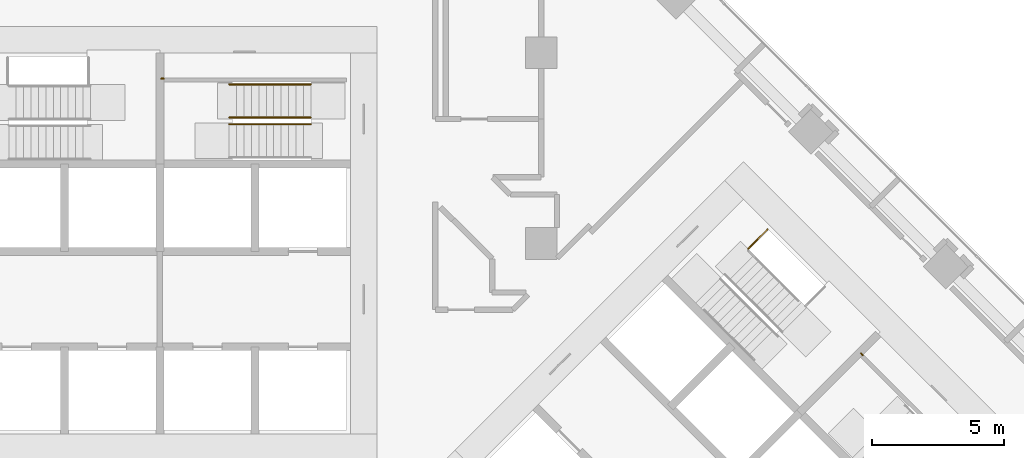
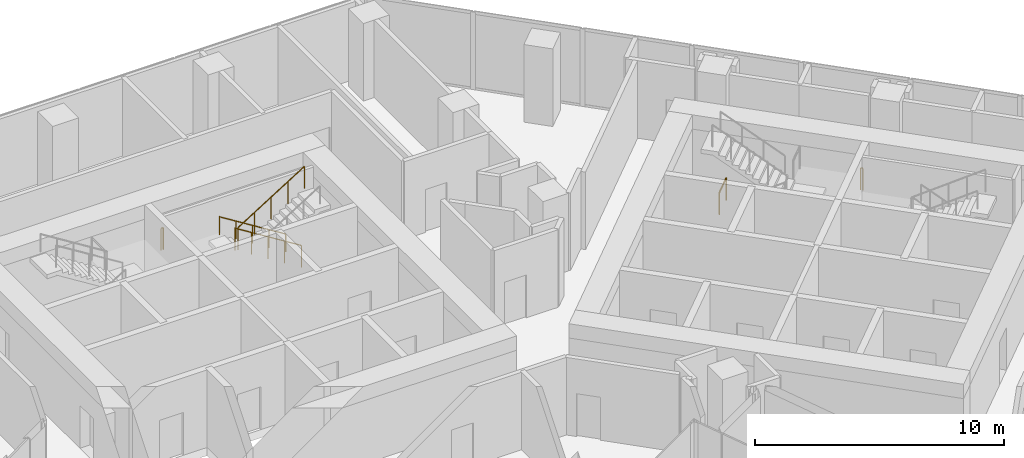
# One storey, part 27 of 27: 6 railings.
"""IFC4 building model written with IfcOpenShell, lengths in metres."""

from ifc_helpers import new_model, si_unit, direction, frame, origin, origin_2d, place, context, subcontext, project, spatial, circle, extrude, material, type_object, element, save


model = new_model("IFC4")

# Units and contexts
model_context = context("Model", 3, precision=1e-05, world=origin(), true_north=direction((0.0, 1.0)))
body_context = subcontext(model_context, "Body", "Model", "MODEL_VIEW")
ifc_project = project(units=[si_unit("LENGTHUNIT", "METRE"), si_unit("AREAUNIT", "SQUARE_METRE"), si_unit("VOLUMEUNIT", "CUBIC_METRE"), si_unit("PLANEANGLEUNIT", "RADIAN"), si_unit("MASSUNIT", "GRAM", prefix="KILO")], contexts=[model_context])

# Site, building, storey
site_placement = place(None, origin())
site = spatial("IfcSite", under=ifc_project, at=site_placement, CompositionType="ELEMENT")
building_placement = place(site_placement, origin())
building = spatial("IfcBuilding", under=site, at=building_placement, Name="Windrow Commons", CompositionType="ELEMENT")
storey_placement = place(building_placement, frame((0.0, 0.0, 6.0)))
storey = spatial("IfcBuildingStorey", under=building, at=storey_placement, Name="L01", CompositionType="ELEMENT", Elevation=6.0)

# Railings
ifc_material_1 = material(Name="Steel S355", Category="steel")
railing_type_1 = type_object("IfcRailingType", Name="Core stair guard 1100", PredefinedType="GUARDRAIL", material=ifc_material_1)
railing_1_placement = place(storey_placement, frame((70.5, 62.355, 0.175)))
element("IfcRailing", 1, at=railing_1_placement, inside=storey, type_object=railing_type_1, Name="L01 ST-A2 stair guard 1", PredefinedType="GUARDRAIL", context=body_context, shape_type="SweptSolid", body=[
    extrude(circle(Radius=0.024, at=origin_2d()), frame((0.0, 0.0, 1.076), z_axis=(-0.847998304, 0.0, 0.52999894), x_axis=(0.0, -1.0, 0.0)), (0.0, 0.0, 1.0), 3.6321),
    extrude(circle(Radius=0.021, at=origin_2d()), origin(), (0.0, 0.0, 1.0), 1.052),
    extrude(circle(Radius=0.021, at=origin_2d()), frame((-0.77, 0.0, 0.4812)), (0.0, 0.0, 1.0), 1.052),
    extrude(circle(Radius=0.021, at=origin_2d()), frame((-1.54, 0.0, 0.9625)), (0.0, 0.0, 1.0), 1.052),
    extrude(circle(Radius=0.021, at=origin_2d()), frame((-2.31, 0.0, 1.4437)), (0.0, 0.0, 1.0), 1.052),
    extrude(circle(Radius=0.021, at=origin_2d()), frame((-3.08, 0.0, 1.925)), (0.0, 0.0, 1.0), 1.052),
])
railing_2_placement = place(storey_placement, frame((67.42, 62.105, 2.275)))
element("IfcRailing", 2, at=railing_2_placement, inside=storey, type_object=railing_type_1, Name="L01 ST-A2 stair guard 2", PredefinedType="GUARDRAIL", context=body_context, shape_type="SweptSolid", body=[
    extrude(circle(Radius=0.024, at=origin_2d()), frame((0.0, 0.0, 1.076), z_axis=(0.847998304, 0.0, 0.52999894), x_axis=(0.0, 1.0, 0.0)), (0.0, 0.0, 1.0), 3.6321),
    extrude(circle(Radius=0.021, at=origin_2d()), origin(), (0.0, 0.0, 1.0), 1.052),
    extrude(circle(Radius=0.021, at=origin_2d()), frame((0.77, 0.0, 0.4812)), (0.0, 0.0, 1.0), 1.052),
    extrude(circle(Radius=0.021, at=origin_2d()), frame((1.54, 0.0, 0.9625)), (0.0, 0.0, 1.0), 1.052),
    extrude(circle(Radius=0.021, at=origin_2d()), frame((2.31, 0.0, 1.4437)), (0.0, 0.0, 1.0), 1.052),
    extrude(circle(Radius=0.021, at=origin_2d()), frame((3.08, 0.0, 1.925)), (0.0, 0.0, 1.0), 1.052),
])
railing_3_placement = place(storey_placement, frame((64.95, 63.825, 2.1)))
element("IfcRailing", 3, at=railing_3_placement, inside=storey, type_object=railing_type_1, Name="L01 ST-A2 stair guard 3", PredefinedType="GUARDRAIL", context=body_context, shape_type="SweptSolid", body=[
    extrude(circle(Radius=0.024, at=origin_2d()), frame((0.0, 0.0, 1.076), z_axis=(-1.0, 0.0, 0.0), x_axis=(0.0, -1.0, 0.0)), (0.0, 0.0, 1.0), 0.1),
    extrude(circle(Radius=0.021, at=origin_2d()), origin(), (0.0, 0.0, 1.0), 1.052),
    extrude(circle(Radius=0.021, at=origin_2d()), frame((-0.1, 0.0, 0.0)), (0.0, 0.0, 1.0), 1.052),
])
railing_4_placement = place(storey_placement, frame((87.0135, 57.3982, 0.0)))
element("IfcRailing", 4, at=railing_4_placement, inside=storey, type_object=railing_type_1, Name="L01 ST-B1 stair guard 3", PredefinedType="GUARDRAIL", context=body_context, shape_type="SweptSolid", body=[
    extrude(circle(Radius=0.024, at=origin_2d()), frame((0.0, 0.0, 1.076), z_axis=(0.7070582378, 0.7071553212, 0.0), x_axis=(-0.7071553212, 0.7070582378, 0.0)), (0.0, 0.0, 1.0), 1.03),
    extrude(circle(Radius=0.021, at=origin_2d()), origin(), (0.0, 0.0, 1.0), 1.052),
    extrude(circle(Radius=0.021, at=origin_2d()), frame((0.7283, 0.7284, 0.0)), (0.0, 0.0, 1.0), 1.052),
])
railing_5_placement = place(storey_placement, frame((91.3446, 53.3854, 2.1)))
element("IfcRailing", 5, at=railing_5_placement, inside=storey, type_object=railing_type_1, Name="L01 ST-B2 stair guard 3", PredefinedType="GUARDRAIL", context=body_context, shape_type="SweptSolid", body=[
    extrude(circle(Radius=0.024, at=origin_2d()), frame((0.0, 0.0, 1.076), z_axis=(-0.7076063266, 0.7066068826, 0.0), x_axis=(-0.7066068826, -0.7076063266, 0.0)), (0.0, 0.0, 1.0), 0.1001),
    extrude(circle(Radius=0.021, at=origin_2d()), origin(), (0.0, 0.0, 1.0), 1.052),
    extrude(circle(Radius=0.021, at=origin_2d()), frame((-0.0708, 0.0707, 0.0)), (0.0, 0.0, 1.0), 1.052),
])
ifc_material_2 = material(Name="Steel S355", Category="steel")
railing_type_2 = type_object("IfcRailingType", Name="Core stair handrail 900", PredefinedType="HANDRAIL", material=ifc_material_2)
railing_6_placement = place(storey_placement, frame((70.5, 63.605, 0.175)))
element("IfcRailing", 6, at=railing_6_placement, inside=storey, type_object=railing_type_2, Name="L01 ST-A2 stair handrail 1", PredefinedType="HANDRAIL", context=body_context, shape_type="SweptSolid", body=[
    extrude(circle(Radius=0.024, at=origin_2d()), frame((0.0, 0.0, 0.876), z_axis=(-0.847998304, 0.0, 0.52999894), x_axis=(0.0, -1.0, 0.0)), (0.0, 0.0, 1.0), 3.6321),
    extrude(circle(Radius=0.021, at=origin_2d()), origin(), (0.0, 0.0, 1.0), 0.852),
    extrude(circle(Radius=0.021, at=origin_2d()), frame((-0.77, 0.0, 0.4812)), (0.0, 0.0, 1.0), 0.852),
    extrude(circle(Radius=0.021, at=origin_2d()), frame((-1.54, 0.0, 0.9625)), (0.0, 0.0, 1.0), 0.852),
    extrude(circle(Radius=0.021, at=origin_2d()), frame((-2.31, 0.0, 1.4437)), (0.0, 0.0, 1.0), 0.852),
    extrude(circle(Radius=0.021, at=origin_2d()), frame((-3.08, 0.0, 1.925)), (0.0, 0.0, 1.0), 0.852),
])

save(model, "model.ifc")
